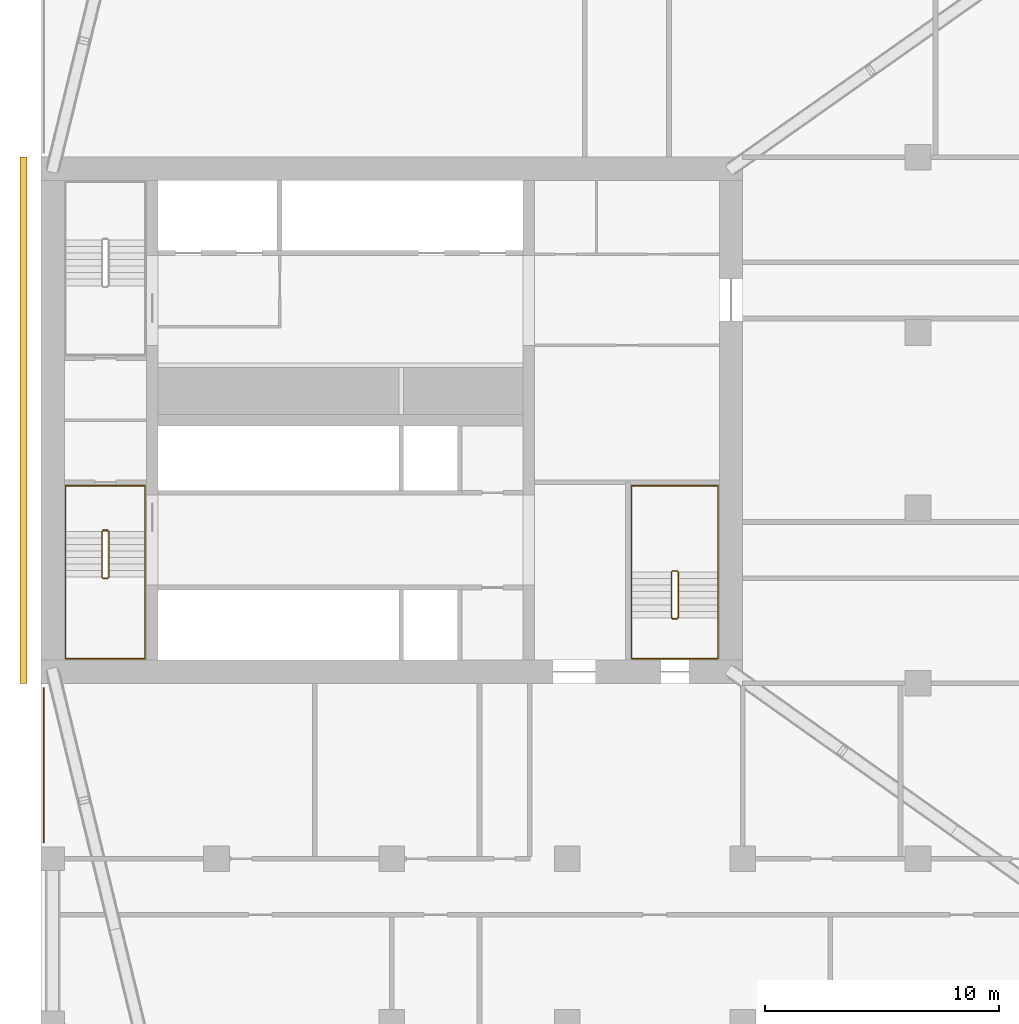
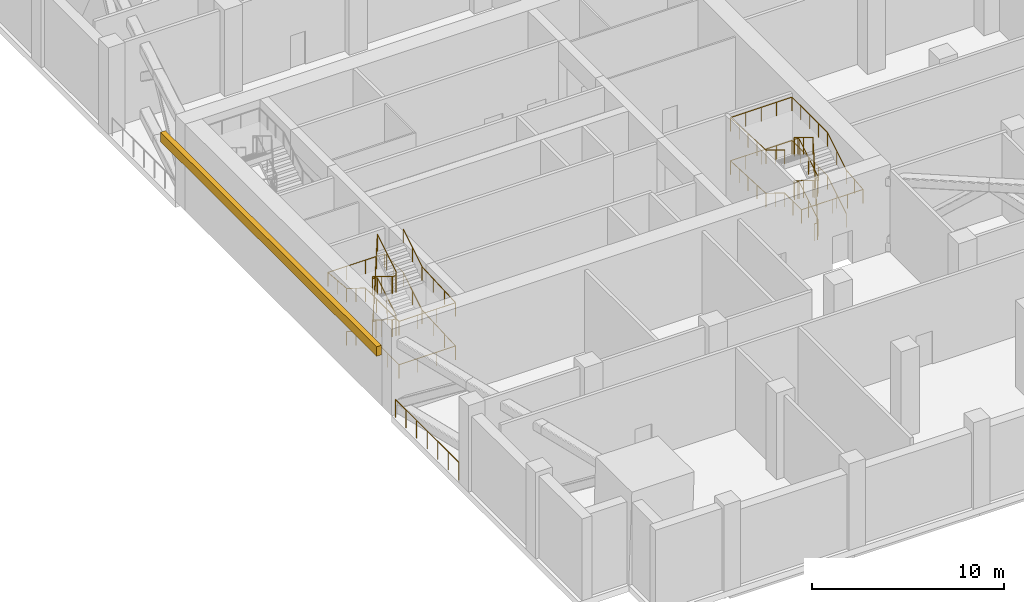
# One storey, part 9 of 10: 5 railings, 1 covering.
"""IFC4 building model written with IfcOpenShell, lengths in metres."""

from ifc_helpers import new_model, si_unit, direction, frame, origin, origin_2d, place, context, subcontext, project, spatial, polyline, circle, outline, extrude, material, layer, layer_set, type_object, element, save


model = new_model("IFC4")

# Units and contexts
model_context = context("Model", 3, precision=1e-05, world=origin(), true_north=direction((0.0, 1.0)))
body_context = subcontext(model_context, "Body", "Model", "MODEL_VIEW")
ifc_project = project(units=[si_unit("LENGTHUNIT", "METRE"), si_unit("AREAUNIT", "SQUARE_METRE"), si_unit("VOLUMEUNIT", "CUBIC_METRE"), si_unit("PLANEANGLEUNIT", "RADIAN"), si_unit("MASSUNIT", "GRAM", prefix="KILO")], contexts=[model_context])

# Site, building, storey
site_placement = place(None, origin())
site = spatial("IfcSite", under=ifc_project, at=site_placement, CompositionType="ELEMENT")
building_placement = place(site_placement, origin())
building = spatial("IfcBuilding", under=site, at=building_placement, Name="Tamorin Gate", CompositionType="ELEMENT")
storey_placement = place(building_placement, frame((0.0, 0.0, 118.699951171875)))
storey = spatial("IfcBuildingStorey", under=building, at=storey_placement, Name="L29", CompositionType="ELEMENT", Elevation=118.699951171875)

# Covering
ifc_material_1 = material(Name="Precast concrete C40/50", Category="concrete")
ifc_layer = layer(ifc_material_1, 0.300048828125)
ifc_layer_set = layer_set([ifc_layer], Name="Spine cornice 300")
covering_type = type_object("IfcCoveringType", Name="Spine cornice 300", PredefinedType="CLADDING", material=ifc_layer_set)
covering_placement = place(storey_placement, frame((0.0, 0.0, 4.10009765625)))
element("IfcCovering", 1, at=covering_placement, inside=storey, type_object=covering_type, Name="Spine cornice", PredefinedType="CLADDING", context=body_context, shape_type="SweptSolid", body=[
    extrude(outline(polyline([(29.10009765625, 60.0), (29.39990234375, 60.0), (29.39990234375, 82.5), (29.10009765625, 82.5), (29.10009765625, 60.0)])), origin(), (0.0, 0.0, 1.0), 0.599853515625),
])

# Railings
ifc_material_2 = material(Name="Painted steel balustrade", Category="steel")
railing_type_1 = type_object("IfcRailingType", Name="Stair guard 1100", PredefinedType="GUARDRAIL", material=ifc_material_2)
railing_1_placement = place(storey_placement, frame((32.60009765625, 66.5, 0.171875)))
element("IfcRailing", 2, at=railing_1_placement, inside=storey, type_object=railing_type_1, Name="L29 ST1 stair guard 1", PredefinedType="GUARDRAIL", context=body_context, shape_type="SweptSolid", body=[
    extrude(circle(Radius=0.02392578125, at=origin_2d()), frame((0.0, 0.0, 1.076171875), z_axis=(0.0, -0.852240978134, 0.523149419562), x_axis=(1.0, 0.0, 0.0)), (0.0, 0.0, 1.0), 2.2998046875),
    extrude(circle(Radius=0.02392578125, at=origin_2d()), frame((0.0, -1.9599609375, 2.279296875), z_axis=(0.705375805398, -0.708833529934, 0.0), x_axis=(0.708833529934, 0.705375805398, 0.0)), (0.0, 0.0, 1.0), 0.070556640625),
    extrude(circle(Radius=0.02392578125, at=origin_2d()), frame((0.0498046875, -2.010009765625, 2.279296875), z_axis=(1.0, 0.0, 0.0), x_axis=(0.0, 1.0, 0.0)), (0.0, 0.0, 1.0), 0.2001953125),
    extrude(circle(Radius=0.02392578125, at=origin_2d()), frame((0.25, -2.010009765625, 2.279296875), z_axis=(0.268036860282, 0.26935076646, 0.924989949209), x_axis=(-0.708833529934, 0.705375805398, 0.0)), (0.0, 0.0, 1.0), 0.185791015625),
    extrude(circle(Radius=0.02392578125, at=origin_2d()), frame((0.2998046875, -1.9599609375, 2.451171875), z_axis=(0.0, 0.852240978134, 0.523149419562), x_axis=(-1.0, 0.0, 0.0)), (0.0, 0.0, 1.0), 2.2998046875),
    extrude(circle(Radius=0.02392578125, at=origin_2d()), frame((0.2998046875, 0.0, 3.654296875), z_axis=(-0.98054382908, 0.196300278283, 0.0), x_axis=(-0.196300278283, -0.98054382908, 0.0)), (0.0, 0.0, 1.0), 0.2548828125),
    extrude(circle(Radius=0.02392578125, at=origin_2d()), frame((0.0498046875, 0.050048828125, 3.654296875), z_axis=(1.0, 0.0, 0.0), x_axis=(0.0, 1.0, 0.0)), (0.0, 0.0, 1.0), 0.2001953125),
    extrude(circle(Radius=0.02392578125, at=origin_2d()), frame((0.25, 0.050048828125, 3.654296875), z_axis=(-0.81305262559, -0.162769324459, 0.558973680093), x_axis=(0.196300278283, -0.98054382908, 0.0)), (0.0, 0.0, 1.0), 0.307373046875),
    extrude(circle(Radius=0.02392578125, at=origin_2d()), frame((0.0, 0.0, 3.826171875), z_axis=(0.0, -0.852240978134, 0.523149419562), x_axis=(1.0, 0.0, 0.0)), (0.0, 0.0, 1.0), 2.2998046875),
    extrude(circle(Radius=0.02392578125, at=origin_2d()), frame((0.0, -1.9599609375, 5.029296875), z_axis=(0.705375805398, -0.708833529934, 0.0), x_axis=(0.708833529934, 0.705375805398, 0.0)), (0.0, 0.0, 1.0), 0.070556640625),
    extrude(circle(Radius=0.02392578125, at=origin_2d()), frame((0.0498046875, -2.010009765625, 5.029296875), z_axis=(1.0, 0.0, 0.0), x_axis=(0.0, 1.0, 0.0)), (0.0, 0.0, 1.0), 0.2001953125),
    extrude(circle(Radius=0.02392578125, at=origin_2d()), frame((0.25, -2.010009765625, 5.029296875), z_axis=(0.268036860282, 0.26935076646, 0.924989949209), x_axis=(-0.708833529934, 0.705375805398, 0.0)), (0.0, 0.0, 1.0), 0.185791015625),
    extrude(circle(Radius=0.02392578125, at=origin_2d()), frame((0.2998046875, -1.9599609375, 5.201171875), z_axis=(0.0, 0.852240978134, 0.523149419562), x_axis=(-1.0, 0.0, 0.0)), (0.0, 0.0, 1.0), 2.2998046875),
    extrude(circle(Radius=0.02392578125, at=origin_2d()), frame((0.2998046875, 0.0, 6.404296875), z_axis=(-0.045405784895, 0.009090025296, -0.998927267692), x_axis=(-0.196300278283, -0.98054382908, 0.0)), (0.0, 0.0, 1.0), 5.505859375),
    extrude(circle(Radius=0.02392578125, at=origin_2d()), frame((0.0498046875, 0.050048828125, 0.904296875), z_axis=(1.0, 0.0, 0.0), x_axis=(0.0, 1.0, 0.0)), (0.0, 0.0, 1.0), 0.2001953125),
    extrude(circle(Radius=0.02099609375, at=origin_2d()), origin(), (0.0, 0.0, 1.0), 1.052001953125),
    extrude(circle(Radius=0.02099609375, at=origin_2d()), frame((0.0, -0.97998046875, 0.6015625)), (0.0, 0.0, 1.0), 1.052001953125),
    extrude(circle(Radius=0.02099609375, at=origin_2d()), frame((0.0, -1.9599609375, 1.203125)), (0.0, 0.0, 1.0), 1.052001953125),
    extrude(circle(Radius=0.02099609375, at=origin_2d()), frame((0.0498046875, -2.010009765625, 1.203125)), (0.0, 0.0, 1.0), 1.052001953125),
    extrude(circle(Radius=0.02099609375, at=origin_2d()), frame((0.25, -2.010009765625, 1.203125)), (0.0, 0.0, 1.0), 1.052001953125),
    extrude(circle(Radius=0.02099609375, at=origin_2d()), frame((0.2998046875, -1.9599609375, 1.375)), (0.0, 0.0, 1.0), 1.052001953125),
    extrude(circle(Radius=0.02099609375, at=origin_2d()), frame((0.2998046875, -0.97998046875, 1.9765625)), (0.0, 0.0, 1.0), 1.052001953125),
    extrude(circle(Radius=0.02099609375, at=origin_2d()), frame((0.2998046875, 0.0, 2.578125)), (0.0, 0.0, 1.0), 1.052001953125),
    extrude(circle(Radius=0.02099609375, at=origin_2d()), frame((0.0498046875, 0.050048828125, 2.578125)), (0.0, 0.0, 1.0), 1.052001953125),
    extrude(circle(Radius=0.02099609375, at=origin_2d()), frame((0.25, 0.050048828125, 2.578125)), (0.0, 0.0, 1.0), 1.052001953125),
    extrude(circle(Radius=0.02099609375, at=origin_2d()), frame((0.0, 0.0, 2.75)), (0.0, 0.0, 1.0), 1.052001953125),
    extrude(circle(Radius=0.02099609375, at=origin_2d()), frame((0.0, -0.97998046875, 3.3515625)), (0.0, 0.0, 1.0), 1.052001953125),
    extrude(circle(Radius=0.02099609375, at=origin_2d()), frame((0.0, -1.9599609375, 3.953125)), (0.0, 0.0, 1.0), 1.052001953125),
    extrude(circle(Radius=0.02099609375, at=origin_2d()), frame((0.0498046875, -2.010009765625, 3.953125)), (0.0, 0.0, 1.0), 1.052001953125),
    extrude(circle(Radius=0.02099609375, at=origin_2d()), frame((0.25, -2.010009765625, 3.953125)), (0.0, 0.0, 1.0), 1.052001953125),
    extrude(circle(Radius=0.02099609375, at=origin_2d()), frame((0.2998046875, -1.9599609375, 4.125)), (0.0, 0.0, 1.0), 1.052001953125),
    extrude(circle(Radius=0.02099609375, at=origin_2d()), frame((0.2998046875, -0.97998046875, 4.7265625)), (0.0, 0.0, 1.0), 1.052001953125),
    extrude(circle(Radius=0.02099609375, at=origin_2d()), frame((0.2998046875, 0.0, 5.328125)), (0.0, 0.0, 1.0), 1.052001953125),
    extrude(circle(Radius=0.02099609375, at=origin_2d()), frame((0.249755859375, 0.010009765625, 4.22802734375)), (0.0, 0.0, 1.0), 1.052001953125),
    extrude(circle(Radius=0.02099609375, at=origin_2d()), frame((0.19970703125, 0.02001953125, 3.128173828125)), (0.0, 0.0, 1.0), 1.052001953125),
    extrude(circle(Radius=0.02099609375, at=origin_2d()), frame((0.14990234375, 0.030029296875, 2.028076171875)), (0.0, 0.0, 1.0), 1.052001953125),
    extrude(circle(Radius=0.02099609375, at=origin_2d()), frame((0.099853515625, 0.0400390625, 0.92822265625)), (0.0, 0.0, 1.0), 1.052001953125),
    extrude(circle(Radius=0.02099609375, at=origin_2d()), frame((0.0498046875, 0.050048828125, -0.171875)), (0.0, 0.0, 1.0), 1.052001953125),
    extrude(circle(Radius=0.02099609375, at=origin_2d()), frame((0.25, 0.050048828125, -0.171875)), (0.0, 0.0, 1.0), 1.052001953125),
])
railing_2_placement = place(storey_placement, frame((57.25, 62.800048828125, 0.171875)))
element("IfcRailing", 3, at=railing_2_placement, inside=storey, type_object=railing_type_1, Name="L29 ST3 stair guard 1", PredefinedType="GUARDRAIL", context=body_context, shape_type="SweptSolid", body=[
    extrude(circle(Radius=0.02392578125, at=origin_2d()), frame((0.0, 0.0, 1.076171875), z_axis=(0.0, 0.852240978134, 0.523149419562), x_axis=(-1.0, 0.0, 0.0)), (0.0, 0.0, 1.0), 2.2998046875),
    extrude(circle(Radius=0.02392578125, at=origin_2d()), frame((0.0, 1.9599609375, 2.279296875), z_axis=(-0.707106781187, 0.707106781187, 0.0), x_axis=(-0.707106781187, -0.707106781187, 0.0)), (0.0, 0.0, 1.0), 0.07080078125),
    extrude(circle(Radius=0.02392578125, at=origin_2d()), frame((-0.050048828125, 2.010009765625, 2.279296875), z_axis=(-1.0, 0.0, 0.0), x_axis=(0.0, -1.0, 0.0)), (0.0, 0.0, 1.0), 0.199951171875),
    extrude(circle(Radius=0.02392578125, at=origin_2d()), frame((-0.25, 2.010009765625, 2.279296875), z_axis=(-0.269255725606, -0.269255725606, 0.92466356501), x_axis=(0.707106781187, -0.707106781187, 0.0)), (0.0, 0.0, 1.0), 0.185791015625),
    extrude(circle(Radius=0.02392578125, at=origin_2d()), frame((-0.300048828125, 1.9599609375, 2.451171875), z_axis=(0.0, -0.852240978134, 0.523149419562), x_axis=(1.0, 0.0, 0.0)), (0.0, 0.0, 1.0), 2.2998046875),
    extrude(circle(Radius=0.02392578125, at=origin_2d()), frame((-0.300048828125, 0.0, 3.654296875), z_axis=(0.98054382908, -0.196300278283, 0.0), x_axis=(0.196300278283, 0.98054382908, 0.0)), (0.0, 0.0, 1.0), 0.2548828125),
    extrude(circle(Radius=0.02392578125, at=origin_2d()), frame((-0.050048828125, -0.050048828125, 3.654296875), z_axis=(-1.0, 0.0, 0.0), x_axis=(0.0, -1.0, 0.0)), (0.0, 0.0, 1.0), 0.199951171875),
    extrude(circle(Radius=0.02392578125, at=origin_2d()), frame((-0.25, -0.050048828125, 3.654296875), z_axis=(0.81305262559, 0.162769324459, 0.558973680093), x_axis=(-0.196300278283, 0.98054382908, 0.0)), (0.0, 0.0, 1.0), 0.307373046875),
    extrude(circle(Radius=0.02392578125, at=origin_2d()), frame((0.0, 0.0, 3.826171875), z_axis=(0.0, 0.852240978134, 0.523149419562), x_axis=(-1.0, 0.0, 0.0)), (0.0, 0.0, 1.0), 2.2998046875),
    extrude(circle(Radius=0.02392578125, at=origin_2d()), frame((0.0, 1.9599609375, 5.029296875), z_axis=(-0.707106781187, 0.707106781187, 0.0), x_axis=(-0.707106781187, -0.707106781187, 0.0)), (0.0, 0.0, 1.0), 0.07080078125),
    extrude(circle(Radius=0.02392578125, at=origin_2d()), frame((-0.050048828125, 2.010009765625, 5.029296875), z_axis=(-1.0, 0.0, 0.0), x_axis=(0.0, -1.0, 0.0)), (0.0, 0.0, 1.0), 0.199951171875),
    extrude(circle(Radius=0.02392578125, at=origin_2d()), frame((-0.25, 2.010009765625, 5.029296875), z_axis=(-0.269255725606, -0.269255725606, 0.92466356501), x_axis=(0.707106781187, -0.707106781187, 0.0)), (0.0, 0.0, 1.0), 0.185791015625),
    extrude(circle(Radius=0.02392578125, at=origin_2d()), frame((-0.300048828125, 1.9599609375, 5.201171875), z_axis=(0.0, -0.852240978134, 0.523149419562), x_axis=(1.0, 0.0, 0.0)), (0.0, 0.0, 1.0), 2.2998046875),
    extrude(circle(Radius=0.02392578125, at=origin_2d()), frame((-0.300048828125, 0.0, 6.404296875), z_axis=(0.045405784895, -0.009090025296, -0.998927267692), x_axis=(0.196300278283, 0.98054382908, 0.0)), (0.0, 0.0, 1.0), 5.505859375),
    extrude(circle(Radius=0.02392578125, at=origin_2d()), frame((-0.050048828125, -0.050048828125, 0.904296875), z_axis=(-1.0, 0.0, 0.0), x_axis=(0.0, -1.0, 0.0)), (0.0, 0.0, 1.0), 0.199951171875),
    extrude(circle(Radius=0.02099609375, at=origin_2d()), origin(), (0.0, 0.0, 1.0), 1.052001953125),
    extrude(circle(Radius=0.02099609375, at=origin_2d()), frame((0.0, 0.97998046875, 0.6015625)), (0.0, 0.0, 1.0), 1.052001953125),
    extrude(circle(Radius=0.02099609375, at=origin_2d()), frame((0.0, 1.9599609375, 1.203125)), (0.0, 0.0, 1.0), 1.052001953125),
    extrude(circle(Radius=0.02099609375, at=origin_2d()), frame((-0.050048828125, 2.010009765625, 1.203125)), (0.0, 0.0, 1.0), 1.052001953125),
    extrude(circle(Radius=0.02099609375, at=origin_2d()), frame((-0.25, 2.010009765625, 1.203125)), (0.0, 0.0, 1.0), 1.052001953125),
    extrude(circle(Radius=0.02099609375, at=origin_2d()), frame((-0.300048828125, 1.9599609375, 1.375)), (0.0, 0.0, 1.0), 1.052001953125),
    extrude(circle(Radius=0.02099609375, at=origin_2d()), frame((-0.300048828125, 0.97998046875, 1.9765625)), (0.0, 0.0, 1.0), 1.052001953125),
    extrude(circle(Radius=0.02099609375, at=origin_2d()), frame((-0.300048828125, 0.0, 2.578125)), (0.0, 0.0, 1.0), 1.052001953125),
    extrude(circle(Radius=0.02099609375, at=origin_2d()), frame((-0.050048828125, -0.050048828125, 2.578125)), (0.0, 0.0, 1.0), 1.052001953125),
    extrude(circle(Radius=0.02099609375, at=origin_2d()), frame((-0.25, -0.050048828125, 2.578125)), (0.0, 0.0, 1.0), 1.052001953125),
    extrude(circle(Radius=0.02099609375, at=origin_2d()), frame((0.0, 0.0, 2.75)), (0.0, 0.0, 1.0), 1.052001953125),
    extrude(circle(Radius=0.02099609375, at=origin_2d()), frame((0.0, 0.97998046875, 3.3515625)), (0.0, 0.0, 1.0), 1.052001953125),
    extrude(circle(Radius=0.02099609375, at=origin_2d()), frame((0.0, 1.9599609375, 3.953125)), (0.0, 0.0, 1.0), 1.052001953125),
    extrude(circle(Radius=0.02099609375, at=origin_2d()), frame((-0.050048828125, 2.010009765625, 3.953125)), (0.0, 0.0, 1.0), 1.052001953125),
    extrude(circle(Radius=0.02099609375, at=origin_2d()), frame((-0.25, 2.010009765625, 3.953125)), (0.0, 0.0, 1.0), 1.052001953125),
    extrude(circle(Radius=0.02099609375, at=origin_2d()), frame((-0.300048828125, 1.9599609375, 4.125)), (0.0, 0.0, 1.0), 1.052001953125),
    extrude(circle(Radius=0.02099609375, at=origin_2d()), frame((-0.300048828125, 0.97998046875, 4.7265625)), (0.0, 0.0, 1.0), 1.052001953125),
    extrude(circle(Radius=0.02099609375, at=origin_2d()), frame((-0.300048828125, 0.0, 5.328125)), (0.0, 0.0, 1.0), 1.052001953125),
    extrude(circle(Radius=0.02099609375, at=origin_2d()), frame((-0.25, -0.010009765625, 4.22802734375)), (0.0, 0.0, 1.0), 1.052001953125),
    extrude(circle(Radius=0.02099609375, at=origin_2d()), frame((-0.199951171875, -0.02001953125, 3.128173828125)), (0.0, 0.0, 1.0), 1.052001953125),
    extrude(circle(Radius=0.02099609375, at=origin_2d()), frame((-0.150146484375, -0.030029296875, 2.028076171875)), (0.0, 0.0, 1.0), 1.052001953125),
    extrude(circle(Radius=0.02099609375, at=origin_2d()), frame((-0.10009765625, -0.0400390625, 0.92822265625)), (0.0, 0.0, 1.0), 1.052001953125),
    extrude(circle(Radius=0.02099609375, at=origin_2d()), frame((-0.050048828125, -0.050048828125, -0.171875)), (0.0, 0.0, 1.0), 1.052001953125),
    extrude(circle(Radius=0.02099609375, at=origin_2d()), frame((-0.25, -0.050048828125, -0.171875)), (0.0, 0.0, 1.0), 1.052001953125),
])
ifc_material_3 = material(Name="Painted steel handrail", Category="steel")
railing_type_2 = type_object("IfcRailingType", Name="Stair handrail 900", PredefinedType="HANDRAIL", material=ifc_material_3)
railing_3_placement = place(storey_placement, frame((31.050048828125, 66.5, 0.171875)))
element("IfcRailing", 4, at=railing_3_placement, inside=storey, type_object=railing_type_2, Name="L29 ST1 stair handrail 1", PredefinedType="HANDRAIL", context=body_context, shape_type="SweptSolid", body=[
    extrude(circle(Radius=0.02392578125, at=origin_2d()), frame((0.0, 0.0, 0.8759765625), z_axis=(0.0, -0.852240978134, 0.523149419562), x_axis=(1.0, 0.0, 0.0)), (0.0, 0.0, 1.0), 2.2998046875),
    extrude(circle(Radius=0.02392578125, at=origin_2d()), frame((0.0, -1.9599609375, 2.0791015625), z_axis=(0.0, -1.0, 0.0), x_axis=(1.0, 0.0, 0.0)), (0.0, 0.0, 1.0), 3.489990234375),
    extrude(circle(Radius=0.02392578125, at=origin_2d()), frame((0.0, -5.449951171875, 2.0791015625), z_axis=(1.0, 0.0, 0.0), x_axis=(0.0, 1.0, 0.0)), (0.0, 0.0, 1.0), 3.39990234375),
    extrude(circle(Radius=0.02392578125, at=origin_2d()), frame((3.39990234375, -5.449951171875, 2.0791015625), z_axis=(0.0, 0.998789519247, 0.049188375065), x_axis=(-1.0, 0.0, 0.0)), (0.0, 0.0, 1.0), 3.494140625),
    extrude(circle(Radius=0.02392578125, at=origin_2d()), frame((3.39990234375, -1.9599609375, 2.2509765625), z_axis=(0.0, 0.852240978134, 0.523149419562), x_axis=(-1.0, 0.0, 0.0)), (0.0, 0.0, 1.0), 2.2998046875),
    extrude(circle(Radius=0.02392578125, at=origin_2d()), frame((3.39990234375, 0.0, 3.4541015625), z_axis=(0.0, 1.0, 0.0), x_axis=(-1.0, 0.0, 0.0)), (0.0, 0.0, 1.0), 1.949951171875),
    extrude(circle(Radius=0.02392578125, at=origin_2d()), frame((3.39990234375, 1.949951171875, 3.4541015625), z_axis=(-1.0, 0.0, 0.0), x_axis=(0.0, -1.0, 0.0)), (0.0, 0.0, 1.0), 3.39990234375),
    extrude(circle(Radius=0.02392578125, at=origin_2d()), frame((0.0, 1.949951171875, 3.4541015625), z_axis=(0.0, -0.996137875047, 0.087802812575), x_axis=(1.0, 0.0, 0.0)), (0.0, 0.0, 1.0), 1.95751953125),
    extrude(circle(Radius=0.02392578125, at=origin_2d()), frame((0.0, 0.0, 3.6259765625), z_axis=(0.0, -0.852240978134, 0.523149419562), x_axis=(1.0, 0.0, 0.0)), (0.0, 0.0, 1.0), 2.2998046875),
    extrude(circle(Radius=0.02392578125, at=origin_2d()), frame((0.0, -1.9599609375, 4.8291015625), z_axis=(0.0, -1.0, 0.0), x_axis=(1.0, 0.0, 0.0)), (0.0, 0.0, 1.0), 3.489990234375),
    extrude(circle(Radius=0.02392578125, at=origin_2d()), frame((0.0, -5.449951171875, 4.8291015625), z_axis=(1.0, 0.0, 0.0), x_axis=(0.0, 1.0, 0.0)), (0.0, 0.0, 1.0), 3.39990234375),
    extrude(circle(Radius=0.02392578125, at=origin_2d()), frame((3.39990234375, -5.449951171875, 4.8291015625), z_axis=(0.0, 0.998789519247, 0.049188375065), x_axis=(-1.0, 0.0, 0.0)), (0.0, 0.0, 1.0), 3.494140625),
    extrude(circle(Radius=0.02392578125, at=origin_2d()), frame((3.39990234375, -1.9599609375, 5.0009765625), z_axis=(0.0, 0.852240978134, 0.523149419562), x_axis=(-1.0, 0.0, 0.0)), (0.0, 0.0, 1.0), 2.2998046875),
    extrude(circle(Radius=0.02099609375, at=origin_2d()), origin(), (0.0, 0.0, 1.0), 0.851806640625),
    extrude(circle(Radius=0.02099609375, at=origin_2d()), frame((0.0, -0.97998046875, 0.6015625)), (0.0, 0.0, 1.0), 0.851806640625),
    extrude(circle(Radius=0.02099609375, at=origin_2d()), frame((0.0, -1.9599609375, 1.203125)), (0.0, 0.0, 1.0), 0.851806640625),
    extrude(circle(Radius=0.02099609375, at=origin_2d()), frame((0.0, -3.123291015625, 1.203125)), (0.0, 0.0, 1.0), 0.851806640625),
    extrude(circle(Radius=0.02099609375, at=origin_2d()), frame((0.0, -4.28662109375, 1.203125)), (0.0, 0.0, 1.0), 0.851806640625),
    extrude(circle(Radius=0.02099609375, at=origin_2d()), frame((0.0, -5.449951171875, 1.203125)), (0.0, 0.0, 1.0), 0.851806640625),
    extrude(circle(Radius=0.02099609375, at=origin_2d()), frame((1.13330078125, -5.449951171875, 1.203125)), (0.0, 0.0, 1.0), 0.851806640625),
    extrude(circle(Radius=0.02099609375, at=origin_2d()), frame((2.2666015625, -5.449951171875, 1.203125)), (0.0, 0.0, 1.0), 0.851806640625),
    extrude(circle(Radius=0.02099609375, at=origin_2d()), frame((3.39990234375, -5.449951171875, 1.203125)), (0.0, 0.0, 1.0), 0.851806640625),
    extrude(circle(Radius=0.02099609375, at=origin_2d()), frame((3.39990234375, -4.28662109375, 1.260498046875)), (0.0, 0.0, 1.0), 0.851806640625),
    extrude(circle(Radius=0.02099609375, at=origin_2d()), frame((3.39990234375, -3.123291015625, 1.317626953125)), (0.0, 0.0, 1.0), 0.851806640625),
    extrude(circle(Radius=0.02099609375, at=origin_2d()), frame((3.39990234375, -1.9599609375, 1.375)), (0.0, 0.0, 1.0), 0.851806640625),
    extrude(circle(Radius=0.02099609375, at=origin_2d()), frame((3.39990234375, -0.97998046875, 1.9765625)), (0.0, 0.0, 1.0), 0.851806640625),
    extrude(circle(Radius=0.02099609375, at=origin_2d()), frame((3.39990234375, 0.0, 2.578125)), (0.0, 0.0, 1.0), 0.851806640625),
    extrude(circle(Radius=0.02099609375, at=origin_2d()), frame((3.39990234375, 0.97509765625, 2.578125)), (0.0, 0.0, 1.0), 0.851806640625),
    extrude(circle(Radius=0.02099609375, at=origin_2d()), frame((3.39990234375, 1.949951171875, 2.578125)), (0.0, 0.0, 1.0), 0.851806640625),
    extrude(circle(Radius=0.02099609375, at=origin_2d()), frame((2.2666015625, 1.949951171875, 2.578125)), (0.0, 0.0, 1.0), 0.851806640625),
    extrude(circle(Radius=0.02099609375, at=origin_2d()), frame((1.13330078125, 1.949951171875, 2.578125)), (0.0, 0.0, 1.0), 0.851806640625),
    extrude(circle(Radius=0.02099609375, at=origin_2d()), frame((0.0, 1.949951171875, 2.578125)), (0.0, 0.0, 1.0), 0.851806640625),
    extrude(circle(Radius=0.02099609375, at=origin_2d()), frame((0.0, 0.97509765625, 2.6640625)), (0.0, 0.0, 1.0), 0.851806640625),
    extrude(circle(Radius=0.02099609375, at=origin_2d()), frame((0.0, 0.0, 2.75)), (0.0, 0.0, 1.0), 0.851806640625),
    extrude(circle(Radius=0.02099609375, at=origin_2d()), frame((0.0, -0.97998046875, 3.3515625)), (0.0, 0.0, 1.0), 0.851806640625),
    extrude(circle(Radius=0.02099609375, at=origin_2d()), frame((0.0, -1.9599609375, 3.953125)), (0.0, 0.0, 1.0), 0.851806640625),
    extrude(circle(Radius=0.02099609375, at=origin_2d()), frame((0.0, -3.123291015625, 3.953125)), (0.0, 0.0, 1.0), 0.851806640625),
    extrude(circle(Radius=0.02099609375, at=origin_2d()), frame((0.0, -4.28662109375, 3.953125)), (0.0, 0.0, 1.0), 0.851806640625),
    extrude(circle(Radius=0.02099609375, at=origin_2d()), frame((0.0, -5.449951171875, 3.953125)), (0.0, 0.0, 1.0), 0.851806640625),
    extrude(circle(Radius=0.02099609375, at=origin_2d()), frame((1.13330078125, -5.449951171875, 3.953125)), (0.0, 0.0, 1.0), 0.851806640625),
    extrude(circle(Radius=0.02099609375, at=origin_2d()), frame((2.2666015625, -5.449951171875, 3.953125)), (0.0, 0.0, 1.0), 0.851806640625),
    extrude(circle(Radius=0.02099609375, at=origin_2d()), frame((3.39990234375, -5.449951171875, 3.953125)), (0.0, 0.0, 1.0), 0.851806640625),
    extrude(circle(Radius=0.02099609375, at=origin_2d()), frame((3.39990234375, -4.28662109375, 4.010498046875)), (0.0, 0.0, 1.0), 0.851806640625),
    extrude(circle(Radius=0.02099609375, at=origin_2d()), frame((3.39990234375, -3.123291015625, 4.067626953125)), (0.0, 0.0, 1.0), 0.851806640625),
    extrude(circle(Radius=0.02099609375, at=origin_2d()), frame((3.39990234375, -1.9599609375, 4.125)), (0.0, 0.0, 1.0), 0.851806640625),
    extrude(circle(Radius=0.02099609375, at=origin_2d()), frame((3.39990234375, -0.97998046875, 4.7265625)), (0.0, 0.0, 1.0), 0.851806640625),
    extrude(circle(Radius=0.02099609375, at=origin_2d()), frame((3.39990234375, 0.0, 5.328125)), (0.0, 0.0, 1.0), 0.851806640625),
])
railing_4_placement = place(storey_placement, frame((58.949951171875, 62.800048828125, 0.171875)))
element("IfcRailing", 5, at=railing_4_placement, inside=storey, type_object=railing_type_2, Name="L29 ST3 stair handrail 1", PredefinedType="HANDRAIL", context=body_context, shape_type="SweptSolid", body=[
    extrude(circle(Radius=0.02392578125, at=origin_2d()), frame((0.0, 0.0, 0.8759765625), z_axis=(0.0, 0.852240978134, 0.523149419562), x_axis=(-1.0, 0.0, 0.0)), (0.0, 0.0, 1.0), 2.2998046875),
    extrude(circle(Radius=0.02392578125, at=origin_2d()), frame((0.0, 1.9599609375, 2.0791015625), z_axis=(0.0, 1.0, 0.0), x_axis=(-1.0, 0.0, 0.0)), (0.0, 0.0, 1.0), 3.68994140625),
    extrude(circle(Radius=0.02392578125, at=origin_2d()), frame((0.0, 5.64990234375, 2.0791015625), z_axis=(-1.0, 0.0, 0.0), x_axis=(0.0, -1.0, 0.0)), (0.0, 0.0, 1.0), 3.699951171875),
    extrude(circle(Radius=0.02392578125, at=origin_2d()), frame((-3.699951171875, 5.64990234375, 2.0791015625), z_axis=(0.0, -0.998916945045, 0.046528882448), x_axis=(1.0, 0.0, 0.0)), (0.0, 0.0, 1.0), 3.69384765625),
    extrude(circle(Radius=0.02392578125, at=origin_2d()), frame((-3.699951171875, 1.9599609375, 2.2509765625), z_axis=(0.0, -0.852240978134, 0.523149419562), x_axis=(1.0, 0.0, 0.0)), (0.0, 0.0, 1.0), 2.2998046875),
    extrude(circle(Radius=0.02392578125, at=origin_2d()), frame((-3.699951171875, 0.0, 3.4541015625), z_axis=(0.0, -1.0, 0.0), x_axis=(1.0, 0.0, 0.0)), (0.0, 0.0, 1.0), 1.75),
    extrude(circle(Radius=0.02392578125, at=origin_2d()), frame((-3.699951171875, -1.75, 3.4541015625), z_axis=(1.0, 0.0, 0.0), x_axis=(0.0, 1.0, 0.0)), (0.0, 0.0, 1.0), 3.699951171875),
    extrude(circle(Radius=0.02392578125, at=origin_2d()), frame((0.0, -1.75, 3.4541015625), z_axis=(0.0, 0.995211591236, 0.097743995568), x_axis=(-1.0, 0.0, 0.0)), (0.0, 0.0, 1.0), 1.75830078125),
    extrude(circle(Radius=0.02392578125, at=origin_2d()), frame((0.0, 0.0, 3.6259765625), z_axis=(0.0, 0.852240978134, 0.523149419562), x_axis=(-1.0, 0.0, 0.0)), (0.0, 0.0, 1.0), 2.2998046875),
    extrude(circle(Radius=0.02392578125, at=origin_2d()), frame((0.0, 1.9599609375, 4.8291015625), z_axis=(0.0, 1.0, 0.0), x_axis=(-1.0, 0.0, 0.0)), (0.0, 0.0, 1.0), 3.68994140625),
    extrude(circle(Radius=0.02392578125, at=origin_2d()), frame((0.0, 5.64990234375, 4.8291015625), z_axis=(-1.0, 0.0, 0.0), x_axis=(0.0, -1.0, 0.0)), (0.0, 0.0, 1.0), 3.699951171875),
    extrude(circle(Radius=0.02392578125, at=origin_2d()), frame((-3.699951171875, 5.64990234375, 4.8291015625), z_axis=(0.0, -0.998916945045, 0.046528882448), x_axis=(1.0, 0.0, 0.0)), (0.0, 0.0, 1.0), 3.69384765625),
    extrude(circle(Radius=0.02392578125, at=origin_2d()), frame((-3.699951171875, 1.9599609375, 5.0009765625), z_axis=(0.0, -0.852240978134, 0.523149419562), x_axis=(1.0, 0.0, 0.0)), (0.0, 0.0, 1.0), 2.2998046875),
    extrude(circle(Radius=0.02099609375, at=origin_2d()), origin(), (0.0, 0.0, 1.0), 0.851806640625),
    extrude(circle(Radius=0.02099609375, at=origin_2d()), frame((0.0, 0.97998046875, 0.6015625)), (0.0, 0.0, 1.0), 0.851806640625),
    extrude(circle(Radius=0.02099609375, at=origin_2d()), frame((0.0, 1.9599609375, 1.203125)), (0.0, 0.0, 1.0), 0.851806640625),
    extrude(circle(Radius=0.02099609375, at=origin_2d()), frame((0.0, 2.88232421875, 1.203125)), (0.0, 0.0, 1.0), 0.851806640625),
    extrude(circle(Radius=0.02099609375, at=origin_2d()), frame((0.0, 3.804931640625, 1.203125)), (0.0, 0.0, 1.0), 0.851806640625),
    extrude(circle(Radius=0.02099609375, at=origin_2d()), frame((0.0, 4.7275390625, 1.203125)), (0.0, 0.0, 1.0), 0.851806640625),
    extrude(circle(Radius=0.02099609375, at=origin_2d()), frame((0.0, 5.64990234375, 1.203125)), (0.0, 0.0, 1.0), 0.851806640625),
    extrude(circle(Radius=0.02099609375, at=origin_2d()), frame((-0.925048828125, 5.64990234375, 1.203125)), (0.0, 0.0, 1.0), 0.851806640625),
    extrude(circle(Radius=0.02099609375, at=origin_2d()), frame((-1.85009765625, 5.64990234375, 1.203125)), (0.0, 0.0, 1.0), 0.851806640625),
    extrude(circle(Radius=0.02099609375, at=origin_2d()), frame((-2.77490234375, 5.64990234375, 1.203125)), (0.0, 0.0, 1.0), 0.851806640625),
    extrude(circle(Radius=0.02099609375, at=origin_2d()), frame((-3.699951171875, 5.64990234375, 1.203125)), (0.0, 0.0, 1.0), 0.851806640625),
    extrude(circle(Radius=0.02099609375, at=origin_2d()), frame((-3.699951171875, 4.7275390625, 1.24609375)), (0.0, 0.0, 1.0), 0.851806640625),
    extrude(circle(Radius=0.02099609375, at=origin_2d()), frame((-3.699951171875, 3.804931640625, 1.2890625)), (0.0, 0.0, 1.0), 0.851806640625),
    extrude(circle(Radius=0.02099609375, at=origin_2d()), frame((-3.699951171875, 2.88232421875, 1.33203125)), (0.0, 0.0, 1.0), 0.851806640625),
    extrude(circle(Radius=0.02099609375, at=origin_2d()), frame((-3.699951171875, 1.9599609375, 1.375)), (0.0, 0.0, 1.0), 0.851806640625),
    extrude(circle(Radius=0.02099609375, at=origin_2d()), frame((-3.699951171875, 0.97998046875, 1.9765625)), (0.0, 0.0, 1.0), 0.851806640625),
    extrude(circle(Radius=0.02099609375, at=origin_2d()), frame((-3.699951171875, 0.0, 2.578125)), (0.0, 0.0, 1.0), 0.851806640625),
    extrude(circle(Radius=0.02099609375, at=origin_2d()), frame((-3.699951171875, -0.875, 2.578125)), (0.0, 0.0, 1.0), 0.851806640625),
    extrude(circle(Radius=0.02099609375, at=origin_2d()), frame((-3.699951171875, -1.75, 2.578125)), (0.0, 0.0, 1.0), 0.851806640625),
    extrude(circle(Radius=0.02099609375, at=origin_2d()), frame((-2.77490234375, -1.75, 2.578125)), (0.0, 0.0, 1.0), 0.851806640625),
    extrude(circle(Radius=0.02099609375, at=origin_2d()), frame((-1.85009765625, -1.75, 2.578125)), (0.0, 0.0, 1.0), 0.851806640625),
    extrude(circle(Radius=0.02099609375, at=origin_2d()), frame((-0.925048828125, -1.75, 2.578125)), (0.0, 0.0, 1.0), 0.851806640625),
    extrude(circle(Radius=0.02099609375, at=origin_2d()), frame((0.0, -1.75, 2.578125)), (0.0, 0.0, 1.0), 0.851806640625),
    extrude(circle(Radius=0.02099609375, at=origin_2d()), frame((0.0, -0.875, 2.6640625)), (0.0, 0.0, 1.0), 0.851806640625),
    extrude(circle(Radius=0.02099609375, at=origin_2d()), frame((0.0, 0.0, 2.75)), (0.0, 0.0, 1.0), 0.851806640625),
    extrude(circle(Radius=0.02099609375, at=origin_2d()), frame((0.0, 0.97998046875, 3.3515625)), (0.0, 0.0, 1.0), 0.851806640625),
    extrude(circle(Radius=0.02099609375, at=origin_2d()), frame((0.0, 1.9599609375, 3.953125)), (0.0, 0.0, 1.0), 0.851806640625),
    extrude(circle(Radius=0.02099609375, at=origin_2d()), frame((0.0, 2.88232421875, 3.953125)), (0.0, 0.0, 1.0), 0.851806640625),
    extrude(circle(Radius=0.02099609375, at=origin_2d()), frame((0.0, 3.804931640625, 3.953125)), (0.0, 0.0, 1.0), 0.851806640625),
    extrude(circle(Radius=0.02099609375, at=origin_2d()), frame((0.0, 4.7275390625, 3.953125)), (0.0, 0.0, 1.0), 0.851806640625),
    extrude(circle(Radius=0.02099609375, at=origin_2d()), frame((0.0, 5.64990234375, 3.953125)), (0.0, 0.0, 1.0), 0.851806640625),
    extrude(circle(Radius=0.02099609375, at=origin_2d()), frame((-0.925048828125, 5.64990234375, 3.953125)), (0.0, 0.0, 1.0), 0.851806640625),
    extrude(circle(Radius=0.02099609375, at=origin_2d()), frame((-1.85009765625, 5.64990234375, 3.953125)), (0.0, 0.0, 1.0), 0.851806640625),
    extrude(circle(Radius=0.02099609375, at=origin_2d()), frame((-2.77490234375, 5.64990234375, 3.953125)), (0.0, 0.0, 1.0), 0.851806640625),
    extrude(circle(Radius=0.02099609375, at=origin_2d()), frame((-3.699951171875, 5.64990234375, 3.953125)), (0.0, 0.0, 1.0), 0.851806640625),
    extrude(circle(Radius=0.02099609375, at=origin_2d()), frame((-3.699951171875, 4.7275390625, 3.99609375)), (0.0, 0.0, 1.0), 0.851806640625),
    extrude(circle(Radius=0.02099609375, at=origin_2d()), frame((-3.699951171875, 3.804931640625, 4.0390625)), (0.0, 0.0, 1.0), 0.851806640625),
    extrude(circle(Radius=0.02099609375, at=origin_2d()), frame((-3.699951171875, 2.88232421875, 4.08203125)), (0.0, 0.0, 1.0), 0.851806640625),
    extrude(circle(Radius=0.02099609375, at=origin_2d()), frame((-3.699951171875, 1.9599609375, 4.125)), (0.0, 0.0, 1.0), 0.851806640625),
    extrude(circle(Radius=0.02099609375, at=origin_2d()), frame((-3.699951171875, 0.97998046875, 4.7265625)), (0.0, 0.0, 1.0), 0.851806640625),
    extrude(circle(Radius=0.02099609375, at=origin_2d()), frame((-3.699951171875, 0.0, 5.328125)), (0.0, 0.0, 1.0), 0.851806640625),
])
ifc_material_4 = material(Name="Stainless steel", Category="steel")
railing_type_3 = type_object("IfcRailingType", Name="Terrace guard 1150", PredefinedType="GUARDRAIL", material=ifc_material_4)
railing_5_placement = place(storey_placement, frame((30.1201171875, 53.199951171875, 0.0)))
element("IfcRailing", 6, at=railing_5_placement, inside=storey, type_object=railing_type_3, Name="Deck edge guard", PredefinedType="GUARDRAIL", context=body_context, shape_type="SweptSolid", body=[
    extrude(circle(Radius=0.02392578125, at=origin_2d()), frame((0.0, 0.0, 1.1259765625), z_axis=(0.0, 1.0, 0.0), x_axis=(-1.0, 0.0, 0.0)), (0.0, 0.0, 1.0), 6.60009765625),
    extrude(circle(Radius=0.02099609375, at=origin_2d()), origin(), (0.0, 0.0, 1.0), 1.101806640625),
    extrude(circle(Radius=0.02099609375, at=origin_2d()), frame((0.0, 1.10009765625, 0.0)), (0.0, 0.0, 1.0), 1.101806640625),
    extrude(circle(Radius=0.02099609375, at=origin_2d()), frame((0.0, 2.199951171875, 0.0)), (0.0, 0.0, 1.0), 1.101806640625),
    extrude(circle(Radius=0.02099609375, at=origin_2d()), frame((0.0, 3.300048828125, 0.0)), (0.0, 0.0, 1.0), 1.101806640625),
    extrude(circle(Radius=0.02099609375, at=origin_2d()), frame((0.0, 4.400146484375, 0.0)), (0.0, 0.0, 1.0), 1.101806640625),
    extrude(circle(Radius=0.02099609375, at=origin_2d()), frame((0.0, 5.5, 0.0)), (0.0, 0.0, 1.0), 1.101806640625),
    extrude(circle(Radius=0.02099609375, at=origin_2d()), frame((0.0, 6.60009765625, 0.0)), (0.0, 0.0, 1.0), 1.101806640625),
])

save(model, "model.ifc")
